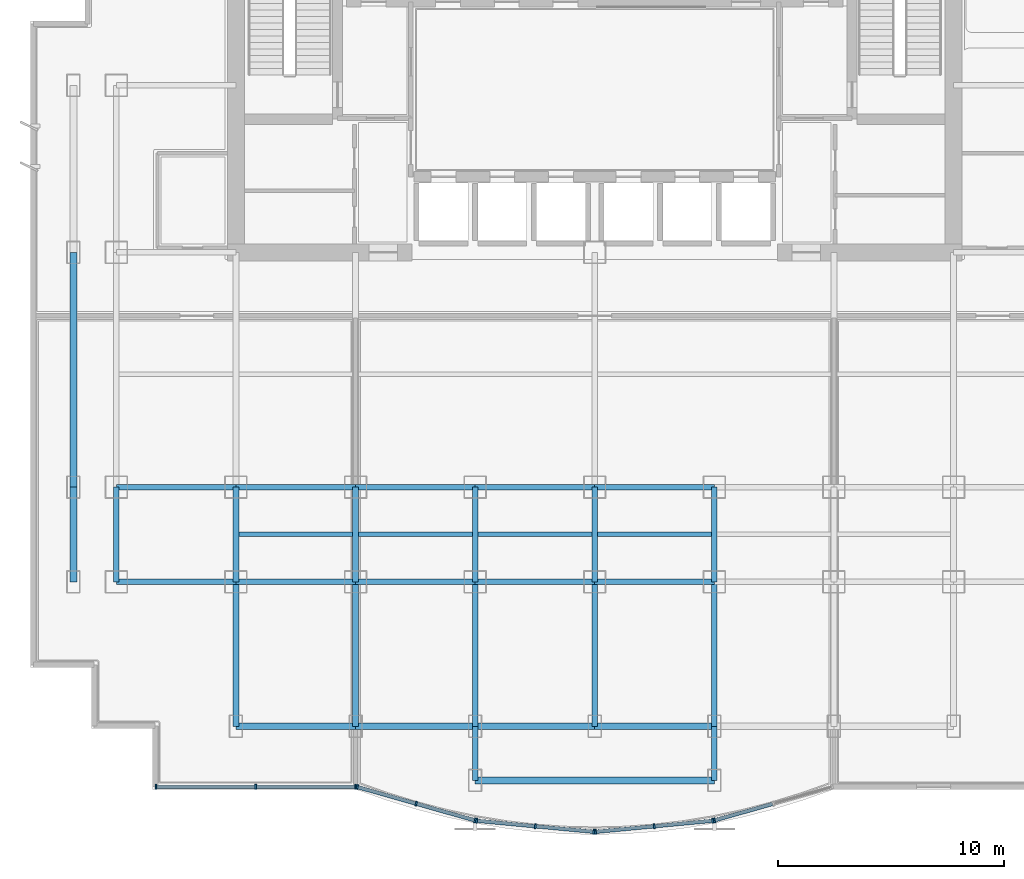
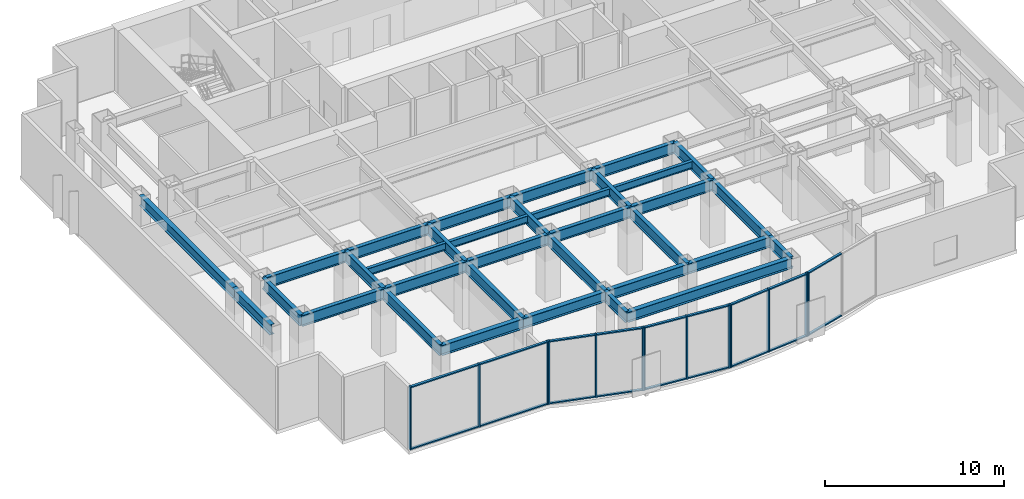
# One storey, part 2 of 9: 34 beams, 31 members, 5 elements without a shape of their own.
"""IFC4 building model written with IfcOpenShell, lengths in metres."""

import ifcopenshell
import ifcopenshell.guid

model = None  # the IFC model being written
_history = None  # IfcOwnerHistory: only IFC2X3 demands one
_inside = {}  # id of a spatial element -> (the spatial element, [elements in it])
_under = {}  # id of a project, library or spatial element -> (it, [spatial elements below it])
_declared = {}  # id of a project -> (the project, [libraries it declares])
_typed = {}  # id of a type object -> (the type object, [elements of that type])
_made_of = {}  # id of a material, layer set ... -> (it, [elements and type objects made of it])


def new_model(schema):
    """Start an empty IFC model of exactly this schema.

    Asked for "IFC4X3", IfcOpenShell would pick the latest addendum, in which some entities
    have other attributes; the version numbers below select the first issue.
    IFC2X3 requires an IfcOwnerHistory on every rooted entity: one is made here for all.
    """
    global model, _history
    if schema == "IFC4X3":
        model = ifcopenshell.file(schema_version=(4, 3, 0, 0))
    else:
        model = ifcopenshell.file(schema=schema)
    _inside.clear()
    _under.clear()
    _declared.clear()
    _typed.clear()
    _made_of.clear()
    _history = None
    if model.schema == "IFC2X3":
        org = make("IfcOrganization", Name="unknown")
        user = make(
            "IfcPersonAndOrganization",
            ThePerson=make("IfcPerson", FamilyName="unknown"),
            TheOrganization=org,
        )
        app = make(
            "IfcApplication",
            ApplicationDeveloper=org,
            Version="unknown",
            ApplicationFullName="unknown",
            ApplicationIdentifier="unknown",
        )
        _history = make(
            "IfcOwnerHistory",
            OwningUser=user,
            OwningApplication=app,
            ChangeAction="ADDED",
            CreationDate=0,
        )
    return model


def make(cls, **values):
    """One entity of the class cls with the attributes given. An attribute that is None is left unset."""
    return model.create_entity(
        cls, **{name: value for name, value in values.items() if value is not None}
    )


def rooted(cls, **values):
    """An entity with a GlobalId (a new one), such as an element, a storey or a relation."""
    return make(cls, GlobalId=ifcopenshell.guid.new(), OwnerHistory=_history, **values)


def si_unit(unit_type, name, prefix=None):
    """IfcSIUnit, for example si_unit("LENGTHUNIT", "METRE", prefix="MILLI")."""
    return make("IfcSIUnit", UnitType=unit_type, Prefix=prefix, Name=name)


def assignment(units):
    """IfcUnitAssignment: the units of a project."""
    return None if units is None else make("IfcUnitAssignment", Units=units)


def point(xyz):
    """IfcCartesianPoint."""
    return None if xyz is None else make("IfcCartesianPoint", Coordinates=xyz)


def direction(xyz):
    """IfcDirection."""
    return None if xyz is None else make("IfcDirection", DirectionRatios=xyz)


def frame(location, z_axis=None, x_axis=None):
    """IfcAxis2Placement3D, a coordinate frame: its origin and axes. An axis left out is left unset."""
    return make(
        "IfcAxis2Placement3D",
        Location=point(location),
        Axis=direction(z_axis),
        RefDirection=direction(x_axis),
    )


def frame_2d(location, x_axis=None):
    """IfcAxis2Placement2D, a coordinate frame in the plane: its origin and x axis."""
    return make(
        "IfcAxis2Placement2D", Location=point(location), RefDirection=direction(x_axis)
    )


def origin():
    """The frame at (0, 0, 0) with its axes left unset."""
    return frame((0.0, 0.0, 0.0))


def origin_2d():
    """The frame at (0, 0) in the plane with its x axis left unset."""
    return frame_2d((0.0, 0.0))


def place(relative_to, where):
    """IfcLocalPlacement: puts the frame where relative to a parent placement (None: the world)."""
    return make(
        "IfcLocalPlacement", PlacementRelTo=relative_to, RelativePlacement=where
    )


def context(
    kind, dimensions, precision=None, world=None, true_north=None, identifier=None
):
    """IfcGeometricRepresentationContext, for example the 3D "Model" context."""
    return make(
        "IfcGeometricRepresentationContext",
        ContextIdentifier=identifier,
        ContextType=kind,
        CoordinateSpaceDimension=dimensions,
        Precision=precision,
        WorldCoordinateSystem=world,
        TrueNorth=true_north,
    )


def subcontext(parent, identifier, kind, view, scale=None):
    """IfcGeometricRepresentationSubContext, for example "Body" below "Model"."""
    return make(
        "IfcGeometricRepresentationSubContext",
        ContextIdentifier=identifier,
        ContextType=kind,
        ParentContext=parent,
        TargetScale=scale,
        TargetView=view,
    )


def project(units=None, contexts=None):
    """IfcProject with its units and contexts."""
    return rooted(
        "IfcProject",
        Name="project",
        RepresentationContexts=contexts,
        UnitsInContext=assignment(units),
    )


def spatial(cls, under=None, at=None, **own):
    """A site, building, storey or space (cls), placed at a placement, below another one or the project."""
    s = rooted(cls, ObjectPlacement=at, **own)
    if under is not None:
        _under.setdefault(under.id(), (under, []))[1].append(s)
    return s


def profile(cls, at=None, kind="AREA", **sizes):
    """A parametric profile (cls). Its sizes go by their IFC names, for example OverallWidth=200.0."""
    return make(cls, ProfileType=kind, Position=at, **sizes)


def rectangle(**sizes):
    """IfcRectangleProfileDef."""
    return profile("IfcRectangleProfileDef", **sizes)


def i_section(**sizes):
    """IfcIShapeProfileDef."""
    return profile("IfcIShapeProfileDef", **sizes)


def extrude(swept, where, along, depth):
    """IfcExtrudedAreaSolid: the profile swept, set in the frame where, extruded along a direction by depth."""
    return make(
        "IfcExtrudedAreaSolid",
        SweptArea=swept,
        Position=where,
        ExtrudedDirection=direction(along),
        Depth=depth,
    )


def shape(context_of_items, identifier, shape_type, items):
    """IfcShapeRepresentation: the items that make up one representation, for example the "Body"."""
    return make(
        "IfcShapeRepresentation",
        ContextOfItems=context_of_items,
        RepresentationIdentifier=identifier,
        RepresentationType=shape_type,
        Items=items,
    )


def source(mapping_origin, context_of_items, identifier, shape_type, items):
    """IfcRepresentationMap: a shape defined once, which mapped items show again and again."""
    return make(
        "IfcRepresentationMap",
        MappingOrigin=mapping_origin,
        MappedRepresentation=shape(context_of_items, identifier, shape_type, items),
    )


def transform(
    local_origin,
    x_axis=None,
    y_axis=None,
    z_axis=None,
    scale=None,
    scale2=None,
    scale3=None,
    uniform=True,
):
    """IfcCartesianTransformationOperator3D, or its non-uniform kind. x_axis, y_axis, z_axis: its Axis1, 2, 3."""
    if uniform:
        return make(
            "IfcCartesianTransformationOperator3D",
            Axis1=direction(x_axis),
            Axis2=direction(y_axis),
            LocalOrigin=point(local_origin),
            Scale=scale,
            Axis3=direction(z_axis),
        )
    return make(
        "IfcCartesianTransformationOperator3DnonUniform",
        Axis1=direction(x_axis),
        Axis2=direction(y_axis),
        LocalOrigin=point(local_origin),
        Scale=scale,
        Axis3=direction(z_axis),
        Scale2=scale2,
        Scale3=scale3,
    )


def mapped(mapping_source, mapping_target):
    """IfcMappedItem: shows the shape of a source again, moved by a transform."""
    return make(
        "IfcMappedItem", MappingSource=mapping_source, MappingTarget=mapping_target
    )


def material(Name=None, Category=None):
    """IfcMaterial."""
    return make("IfcMaterial", Name=Name, Category=Category)


def layer(
    of_material, thickness, ventilated=None, Name=None, Category=None, Priority=None
):
    """IfcMaterialLayer: one layer of a wall or slab, of a material (None: an air gap)."""
    return make(
        "IfcMaterialLayer",
        Material=of_material,
        LayerThickness=thickness,
        IsVentilated=ventilated,
        Name=Name,
        Category=Category,
        Priority=Priority,
    )


def layer_set(layers, Name=None):
    """IfcMaterialLayerSet."""
    return make("IfcMaterialLayerSet", MaterialLayers=layers, LayerSetName=Name)


def material_profile(
    of_material, cross_section, Name=None, Category=None, Priority=None
):
    """IfcMaterialProfile: a cross section and its material."""
    return make(
        "IfcMaterialProfile",
        Name=Name,
        Material=of_material,
        Profile=cross_section,
        Priority=Priority,
        Category=Category,
    )


def profile_set(profiles, Name=None, composite=None):
    """IfcMaterialProfileSet."""
    return make(
        "IfcMaterialProfileSet",
        Name=Name,
        MaterialProfiles=profiles,
        CompositeProfile=composite,
    )


def made_of(thing, what):
    """Note that an element or type object is made of a material, layer set ...; save() writes the relation."""
    if what is not None:
        _made_of.setdefault(what.id(), (what, []))[1].append(thing)
    return thing


def type_object(cls, material=None, **own):
    """A type object (cls), such as IfcWallType, which elements share."""
    return made_of(rooted(cls, **own), material)


def element(
    cls,
    number,
    at=None,
    inside=None,
    cuts=None,
    type_object=None,
    material=None,
    context=None,
    identifier="Body",
    shape_type=None,
    held_by="IfcProductDefinitionShape",
    body=None,
    shapes=None,
    **own,
):
    """One element of the class cls, such as IfcWall. Its Tag is "e" and its number.

    at: its placement. inside: the storey or other place that contains it. cuts: it is an
    opening in that element (IfcRelVoidsElement). A single representation is given by context,
    identifier, shape_type and body (its items); several are given by shapes. held_by: the class
    of the entity that holds the representations. save() writes the other relations.
    """
    e = rooted(cls, Tag="e%d" % number, ObjectPlacement=at, **own)
    if body is not None:
        shapes = [shape(context, identifier, shape_type, body)]
    if shapes is not None:
        e.Representation = make(held_by, Representations=shapes)
    if inside is not None:
        _inside.setdefault(inside.id(), (inside, []))[1].append(e)
    if cuts is not None:
        rooted(
            "IfcRelVoidsElement", RelatingBuildingElement=cuts, RelatedOpeningElement=e
        )
    if type_object is not None:
        _typed.setdefault(type_object.id(), (type_object, []))[1].append(e)
    return made_of(e, material)


def aggregate(whole, parts):
    """IfcRelAggregates: a whole, such as a stair, and the parts it consists of."""
    return rooted("IfcRelAggregates", RelatingObject=whole, RelatedObjects=parts)


def save(model, path):
    """Write the relations noted so far, then the file.

    IfcRelAggregates (storeys below a building ...), IfcRelContainedInSpatialStructure (elements
    in a storey), IfcRelDefinesByType, IfcRelAssociatesMaterial and IfcRelDeclares: one each for
    every whole, place, type object, material and project.
    """
    for whole, parts in _under.values():
        aggregate(whole, parts)
    for where, things in _inside.values():
        rooted(
            "IfcRelContainedInSpatialStructure",
            RelatedElements=things,
            RelatingStructure=where,
        )
    for kind, things in _typed.values():
        rooted("IfcRelDefinesByType", RelatedObjects=things, RelatingType=kind)
    for what, things in _made_of.values():
        rooted("IfcRelAssociatesMaterial", RelatedObjects=things, RelatingMaterial=what)
    for by, libraries in _declared.values():
        rooted("IfcRelDeclares", RelatingContext=by, RelatedDefinitions=libraries)
    model.write(path)


model = new_model("IFC4")

# Units and contexts
model_context = context("Model", 3, precision=1e-05, world=origin(), true_north=direction((0.0, 1.0)))
body_context = subcontext(model_context, "Body", "Model", "MODEL_VIEW")
ifc_project = project(units=[si_unit("LENGTHUNIT", "METRE"), si_unit("AREAUNIT", "SQUARE_METRE"), si_unit("VOLUMEUNIT", "CUBIC_METRE"), si_unit("PLANEANGLEUNIT", "RADIAN"), si_unit("MASSUNIT", "GRAM", prefix="KILO")], contexts=[model_context])

# Site, building, storey
site_placement = place(None, origin())
site = spatial("IfcSite", under=ifc_project, at=site_placement, CompositionType="ELEMENT")
building_placement = place(site_placement, origin())
building = spatial("IfcBuilding", under=site, at=building_placement, Name="Qianlan Lanfeng Residences", CompositionType="ELEMENT")
storey_placement = place(building_placement, frame((0.0, 0.0, 77.199951171875)))
storey = spatial("IfcBuildingStorey", under=building, at=storey_placement, Name="L20", CompositionType="ELEMENT", Elevation=77.199951171875)

# Beams
ifc_material_1 = material(Name="Steel SN490B", Category="steel")
ifc_material_profile_1 = material_profile(ifc_material_1, i_section(OverallWidth=0.25, OverallDepth=0.75, WebThickness=0.013916015625, FlangeThickness=0.02490234375, at=origin_2d()), Name="H 750x250x14x25")
ifc_profile_set_1 = profile_set([ifc_material_profile_1], Name="Steel SN490B")
beam_type_1 = type_object("IfcBeamType", Name="G-850", PredefinedType="BEAM", material=ifc_profile_set_1)
beam_1_placement = place(storey_placement, frame((5.300048828125, 10.60009765625, 3.9150390625), z_axis=(1.0, 0.0, 0.0), x_axis=(0.0, 1.0, 0.0)))
element("IfcBeam", 1, at=beam_1_placement, inside=storey, type_object=beam_type_1, Name="Structural beam G-850", PredefinedType="BEAM", context=body_context, shape_type="SweptSolid", body=[
    extrude(i_section(OverallWidth=0.25, OverallDepth=0.75, WebThickness=0.013916015625, FlangeThickness=0.02490234375, at=origin_2d()), origin(), (0.0, 0.0, 1.0), 5.300048828125),
])
beam_2_placement = place(storey_placement, frame((10.60009765625, 10.60009765625, 3.9150390625), z_axis=(1.0, 0.0, 0.0), x_axis=(0.0, 1.0, 0.0)))
element("IfcBeam", 2, at=beam_2_placement, inside=storey, type_object=beam_type_1, Name="Structural beam G-850", PredefinedType="BEAM", context=body_context, shape_type="SweptSolid", body=[
    extrude(i_section(OverallWidth=0.25, OverallDepth=0.75, WebThickness=0.013916015625, FlangeThickness=0.02490234375, at=origin_2d()), origin(), (0.0, 0.0, 1.0), 5.2998046875),
])
for number, where, z_axis, x_axis, name in (
    (3, (15.89990234375, 10.60009765625, 3.9150390625), (1.0, 0.0, 0.0), (0.0, 1.0, 0.0), "Structural beam G-850"),
    (4, (21.199951171875, 10.60009765625, 3.9150390625), (1.0, 0.0, 0.0), (0.0, 1.0, 0.0), "Structural beam G-850"),
    (5, (26.5, 10.60009765625, 3.9150390625), (1.0, 0.0, 0.0), (0.0, 1.0, 0.0), "Structural beam G-850"),
    (6, (5.300048828125, 14.800048828125, 3.9150390625), (1.0, 0.0, 0.0), (0.0, 1.0, 0.0), "Structural beam G-850"),
):
    element("IfcBeam", number, at=place(storey_placement, frame(where, z_axis=z_axis, x_axis=x_axis)), inside=storey, type_object=beam_type_1, Name=name, PredefinedType="BEAM", context=body_context, shape_type="SweptSolid", body=[
        extrude(i_section(OverallWidth=0.25, OverallDepth=0.75, WebThickness=0.013916015625, FlangeThickness=0.02490234375, at=origin_2d()), origin(), (0.0, 0.0, 1.0), 5.300048828125),
    ])
beam_3_placement = place(storey_placement, frame((10.60009765625, 14.800048828125, 3.9150390625), z_axis=(1.0, 0.0, 0.0), x_axis=(0.0, 1.0, 0.0)))
element("IfcBeam", 7, at=beam_3_placement, inside=storey, type_object=beam_type_1, Name="Structural beam G-850", PredefinedType="BEAM", context=body_context, shape_type="SweptSolid", body=[
    extrude(i_section(OverallWidth=0.25, OverallDepth=0.75, WebThickness=0.013916015625, FlangeThickness=0.02490234375, at=origin_2d()), origin(), (0.0, 0.0, 1.0), 5.2998046875),
])
for number, where, z_axis, x_axis, name in (
    (8, (15.89990234375, 14.800048828125, 3.9150390625), (1.0, 0.0, 0.0), (0.0, 1.0, 0.0), "Structural beam G-850"),
    (9, (21.199951171875, 14.800048828125, 3.9150390625), (1.0, 0.0, 0.0), (0.0, 1.0, 0.0), "Structural beam G-850"),
    (10, (26.5, 14.800048828125, 3.9150390625), (1.0, 0.0, 0.0), (0.0, 1.0, 0.0), "Structural beam G-850"),
):
    element("IfcBeam", number, at=place(storey_placement, frame(where, z_axis=z_axis, x_axis=x_axis)), inside=storey, type_object=beam_type_1, Name=name, PredefinedType="BEAM", context=body_context, shape_type="SweptSolid", body=[
        extrude(i_section(OverallWidth=0.25, OverallDepth=0.75, WebThickness=0.013916015625, FlangeThickness=0.02490234375, at=origin_2d()), origin(), (0.0, 0.0, 1.0), 5.300048828125),
    ])
beam_4_placement = place(storey_placement, frame((5.300048828125, 10.60009765625, 3.9150390625), z_axis=(0.0, 1.0, 0.0), x_axis=(-1.0, 0.0, 0.0)))
element("IfcBeam", 11, at=beam_4_placement, inside=storey, type_object=beam_type_1, Name="Structural beam G-850", PredefinedType="BEAM", context=body_context, shape_type="SweptSolid", body=[
    extrude(i_section(OverallWidth=0.25, OverallDepth=0.75, WebThickness=0.013916015625, FlangeThickness=0.02490234375, at=origin_2d()), origin(), (0.0, 0.0, 1.0), 4.199951171875),
])
beam_5_placement = place(storey_placement, frame((10.60009765625, 4.199951171875, 3.9150390625), z_axis=(0.0, 1.0, 0.0), x_axis=(-1.0, 0.0, 0.0)))
element("IfcBeam", 12, at=beam_5_placement, inside=storey, type_object=beam_type_1, Name="Structural beam G-850", PredefinedType="BEAM", context=body_context, shape_type="SweptSolid", body=[
    extrude(i_section(OverallWidth=0.25, OverallDepth=0.75, WebThickness=0.013916015625, FlangeThickness=0.02490234375, at=origin_2d()), origin(), (0.0, 0.0, 1.0), 6.400146484375),
])
beam_6_placement = place(storey_placement, frame((10.60009765625, 10.60009765625, 3.9150390625), z_axis=(0.0, 1.0, 0.0), x_axis=(-1.0, 0.0, 0.0)))
element("IfcBeam", 13, at=beam_6_placement, inside=storey, type_object=beam_type_1, Name="Structural beam G-850", PredefinedType="BEAM", context=body_context, shape_type="SweptSolid", body=[
    extrude(i_section(OverallWidth=0.25, OverallDepth=0.75, WebThickness=0.013916015625, FlangeThickness=0.02490234375, at=origin_2d()), origin(), (0.0, 0.0, 1.0), 4.199951171875),
])
beam_7_placement = place(storey_placement, frame((15.89990234375, 4.199951171875, 3.9150390625), z_axis=(0.0, 1.0, 0.0), x_axis=(-1.0, 0.0, 0.0)))
element("IfcBeam", 14, at=beam_7_placement, inside=storey, type_object=beam_type_1, Name="Structural beam G-850", PredefinedType="BEAM", context=body_context, shape_type="SweptSolid", body=[
    extrude(i_section(OverallWidth=0.25, OverallDepth=0.75, WebThickness=0.013916015625, FlangeThickness=0.02490234375, at=origin_2d()), origin(), (0.0, 0.0, 1.0), 6.400146484375),
])
beam_8_placement = place(storey_placement, frame((15.89990234375, 10.60009765625, 3.9150390625), z_axis=(0.0, 1.0, 0.0), x_axis=(-1.0, 0.0, 0.0)))
element("IfcBeam", 15, at=beam_8_placement, inside=storey, type_object=beam_type_1, Name="Structural beam G-850", PredefinedType="BEAM", context=body_context, shape_type="SweptSolid", body=[
    extrude(i_section(OverallWidth=0.25, OverallDepth=0.75, WebThickness=0.013916015625, FlangeThickness=0.02490234375, at=origin_2d()), origin(), (0.0, 0.0, 1.0), 4.199951171875),
])
beam_9_placement = place(storey_placement, frame((21.199951171875, 1.800048828125, 3.9150390625), z_axis=(0.0, 1.0, 0.0), x_axis=(-1.0, 0.0, 0.0)))
element("IfcBeam", 16, at=beam_9_placement, inside=storey, type_object=beam_type_1, Name="Structural beam G-850", PredefinedType="BEAM", context=body_context, shape_type="SweptSolid", body=[
    extrude(i_section(OverallWidth=0.25, OverallDepth=0.75, WebThickness=0.013916015625, FlangeThickness=0.02490234375, at=origin_2d()), origin(), (0.0, 0.0, 1.0), 2.39990234375),
])
beam_10_placement = place(storey_placement, frame((21.199951171875, 4.199951171875, 3.9150390625), z_axis=(0.0, 1.0, 0.0), x_axis=(-1.0, 0.0, 0.0)))
element("IfcBeam", 17, at=beam_10_placement, inside=storey, type_object=beam_type_1, Name="Structural beam G-850", PredefinedType="BEAM", context=body_context, shape_type="SweptSolid", body=[
    extrude(i_section(OverallWidth=0.25, OverallDepth=0.75, WebThickness=0.013916015625, FlangeThickness=0.02490234375, at=origin_2d()), origin(), (0.0, 0.0, 1.0), 6.400146484375),
])
beam_11_placement = place(storey_placement, frame((21.199951171875, 10.60009765625, 3.9150390625), z_axis=(0.0, 1.0, 0.0), x_axis=(-1.0, 0.0, 0.0)))
element("IfcBeam", 18, at=beam_11_placement, inside=storey, type_object=beam_type_1, Name="Structural beam G-850", PredefinedType="BEAM", context=body_context, shape_type="SweptSolid", body=[
    extrude(i_section(OverallWidth=0.25, OverallDepth=0.75, WebThickness=0.013916015625, FlangeThickness=0.02490234375, at=origin_2d()), origin(), (0.0, 0.0, 1.0), 4.199951171875),
])
beam_12_placement = place(storey_placement, frame((26.5, 4.199951171875, 3.9150390625), z_axis=(0.0, 1.0, 0.0), x_axis=(-1.0, 0.0, 0.0)))
element("IfcBeam", 19, at=beam_12_placement, inside=storey, type_object=beam_type_1, Name="Structural beam G-850", PredefinedType="BEAM", context=body_context, shape_type="SweptSolid", body=[
    extrude(i_section(OverallWidth=0.25, OverallDepth=0.75, WebThickness=0.013916015625, FlangeThickness=0.02490234375, at=origin_2d()), origin(), (0.0, 0.0, 1.0), 6.400146484375),
])
beam_13_placement = place(storey_placement, frame((26.5, 10.60009765625, 3.9150390625), z_axis=(0.0, 1.0, 0.0), x_axis=(-1.0, 0.0, 0.0)))
element("IfcBeam", 20, at=beam_13_placement, inside=storey, type_object=beam_type_1, Name="Structural beam G-850", PredefinedType="BEAM", context=body_context, shape_type="SweptSolid", body=[
    extrude(i_section(OverallWidth=0.25, OverallDepth=0.75, WebThickness=0.013916015625, FlangeThickness=0.02490234375, at=origin_2d()), origin(), (0.0, 0.0, 1.0), 4.199951171875),
])
beam_14_placement = place(storey_placement, frame((31.800048828125, 1.800048828125, 3.9150390625), z_axis=(0.0, 1.0, 0.0), x_axis=(-1.0, 0.0, 0.0)))
element("IfcBeam", 21, at=beam_14_placement, inside=storey, type_object=beam_type_1, Name="Structural beam G-850", PredefinedType="BEAM", context=body_context, shape_type="SweptSolid", body=[
    extrude(i_section(OverallWidth=0.25, OverallDepth=0.75, WebThickness=0.013916015625, FlangeThickness=0.02490234375, at=origin_2d()), origin(), (0.0, 0.0, 1.0), 2.39990234375),
])
beam_15_placement = place(storey_placement, frame((31.800048828125, 4.199951171875, 3.9150390625), z_axis=(0.0, 1.0, 0.0), x_axis=(-1.0, 0.0, 0.0)))
element("IfcBeam", 22, at=beam_15_placement, inside=storey, type_object=beam_type_1, Name="Structural beam G-850", PredefinedType="BEAM", context=body_context, shape_type="SweptSolid", body=[
    extrude(i_section(OverallWidth=0.25, OverallDepth=0.75, WebThickness=0.013916015625, FlangeThickness=0.02490234375, at=origin_2d()), origin(), (0.0, 0.0, 1.0), 6.400146484375),
])
beam_16_placement = place(storey_placement, frame((31.800048828125, 10.60009765625, 3.9150390625), z_axis=(0.0, 1.0, 0.0), x_axis=(-1.0, 0.0, 0.0)))
element("IfcBeam", 23, at=beam_16_placement, inside=storey, type_object=beam_type_1, Name="Structural beam G-850", PredefinedType="BEAM", context=body_context, shape_type="SweptSolid", body=[
    extrude(i_section(OverallWidth=0.25, OverallDepth=0.75, WebThickness=0.013916015625, FlangeThickness=0.02490234375, at=origin_2d()), origin(), (0.0, 0.0, 1.0), 4.199951171875),
])
ifc_material_profile_2 = material_profile(ifc_material_1, i_section(OverallWidth=0.199951171875, OverallDepth=0.5, WebThickness=0.010009765625, FlangeThickness=0.01611328125, at=origin_2d()), Name="H 500x200x10x16")
ifc_profile_set_2 = profile_set([ifc_material_profile_2], Name="Steel SN490B")
beam_type_2 = type_object("IfcBeamType", Name="J-500", PredefinedType="JOIST", material=ifc_profile_set_2)
beam_17_placement = place(storey_placement, frame((10.72509765625, 12.699951171875, 4.0400390625), z_axis=(1.0, 0.0, 0.0), x_axis=(0.0, 1.0, 0.0)))
element("IfcBeam", 24, at=beam_17_placement, inside=storey, type_object=beam_type_2, Name="Structural beam J-500", PredefinedType="JOIST", context=body_context, shape_type="SweptSolid", body=[
    extrude(i_section(OverallWidth=0.199951171875, OverallDepth=0.5, WebThickness=0.010009765625, FlangeThickness=0.01611328125, at=origin_2d()), origin(), (0.0, 0.0, 1.0), 5.0498046875),
])
for number, where, z_axis, x_axis, name in (
    (25, (16.02490234375, 12.699951171875, 4.0400390625), (1.0, 0.0, 0.0), (0.0, 1.0, 0.0), "Structural beam J-500"),
    (26, (21.324951171875, 12.699951171875, 4.0400390625), (1.0, 0.0, 0.0), (0.0, 1.0, 0.0), "Structural beam J-500"),
    (27, (26.625, 12.699951171875, 4.0400390625), (1.0, 0.0, 0.0), (0.0, 1.0, 0.0), "Structural beam J-500"),
):
    element("IfcBeam", number, at=place(storey_placement, frame(where, z_axis=z_axis, x_axis=x_axis)), inside=storey, type_object=beam_type_2, Name=name, PredefinedType="JOIST", context=body_context, shape_type="SweptSolid", body=[
        extrude(i_section(OverallWidth=0.199951171875, OverallDepth=0.5, WebThickness=0.010009765625, FlangeThickness=0.01611328125, at=origin_2d()), origin(), (0.0, 0.0, 1.0), 5.050048828125),
    ])
ifc_material_profile_3 = material_profile(ifc_material_1, i_section(OverallWidth=0.300048828125, OverallDepth=0.699951171875, WebThickness=0.012939453125, FlangeThickness=0.02392578125, at=origin_2d()), Name="H 700x300x13x24")
ifc_profile_set_3 = profile_set([ifc_material_profile_3], Name="Steel SN490B")
beam_type_3 = type_object("IfcBeamType", Name="SG-750", PredefinedType="SPANDREL", material=ifc_profile_set_3)
beam_18_placement = place(storey_placement, frame((21.199951171875, 1.800048828125, 3.93994140625), z_axis=(1.0, 0.0, 0.0), x_axis=(0.0, 1.0, 0.0)))
element("IfcBeam", 28, at=beam_18_placement, inside=storey, type_object=beam_type_3, Name="Structural beam SG-750", PredefinedType="SPANDREL", context=body_context, shape_type="SweptSolid", body=[
    extrude(i_section(OverallWidth=0.300048828125, OverallDepth=0.699951171875, WebThickness=0.012939453125, FlangeThickness=0.02392578125, at=origin_2d()), origin(), (0.0, 0.0, 1.0), 10.60009765625),
])
beam_19_placement = place(storey_placement, frame((10.60009765625, 4.199951171875, 3.93994140625), z_axis=(1.0, 0.0, 0.0), x_axis=(0.0, 1.0, 0.0)))
element("IfcBeam", 29, at=beam_19_placement, inside=storey, type_object=beam_type_3, Name="Structural beam SG-750", PredefinedType="SPANDREL", context=body_context, shape_type="SweptSolid", body=[
    extrude(i_section(OverallWidth=0.300048828125, OverallDepth=0.699951171875, WebThickness=0.012939453125, FlangeThickness=0.02392578125, at=origin_2d()), origin(), (0.0, 0.0, 1.0), 5.2998046875),
])
for number, where, z_axis, x_axis, name in (
    (30, (15.89990234375, 4.199951171875, 3.93994140625), (1.0, 0.0, 0.0), (0.0, 1.0, 0.0), "Structural beam SG-750"),
    (31, (21.199951171875, 4.199951171875, 3.93994140625), (1.0, 0.0, 0.0), (0.0, 1.0, 0.0), "Structural beam SG-750"),
    (32, (26.5, 4.199951171875, 3.93994140625), (1.0, 0.0, 0.0), (0.0, 1.0, 0.0), "Structural beam SG-750"),
):
    element("IfcBeam", number, at=place(storey_placement, frame(where, z_axis=z_axis, x_axis=x_axis)), inside=storey, type_object=beam_type_3, Name=name, PredefinedType="SPANDREL", context=body_context, shape_type="SweptSolid", body=[
        extrude(i_section(OverallWidth=0.300048828125, OverallDepth=0.699951171875, WebThickness=0.012939453125, FlangeThickness=0.02392578125, at=origin_2d()), origin(), (0.0, 0.0, 1.0), 5.300048828125),
    ])
beam_20_placement = place(storey_placement, frame((3.39990234375, 10.60009765625, 3.93994140625), z_axis=(0.0, 1.0, 0.0), x_axis=(-1.0, 0.0, 0.0)))
element("IfcBeam", 33, at=beam_20_placement, inside=storey, type_object=beam_type_3, Name="Structural beam SG-750", PredefinedType="SPANDREL", context=body_context, shape_type="SweptSolid", body=[
    extrude(i_section(OverallWidth=0.300048828125, OverallDepth=0.699951171875, WebThickness=0.012939453125, FlangeThickness=0.02392578125, at=origin_2d()), origin(), (0.0, 0.0, 1.0), 4.199951171875),
])
beam_21_placement = place(storey_placement, frame((3.39990234375, 14.800048828125, 3.93994140625), z_axis=(0.0, 1.0, 0.0), x_axis=(-1.0, 0.0, 0.0)))
element("IfcBeam", 34, at=beam_21_placement, inside=storey, type_object=beam_type_3, Name="Structural beam SG-750", PredefinedType="SPANDREL", context=body_context, shape_type="SweptSolid", body=[
    extrude(i_section(OverallWidth=0.300048828125, OverallDepth=0.699951171875, WebThickness=0.012939453125, FlangeThickness=0.02392578125, at=origin_2d()), origin(), (0.0, 0.0, 1.0), 10.39990234375),
])

# Curtain wall, members
ifc_material_2 = material(Name="Anodised Bronze Aluminium 6063-T6", Category="aluminium")
ifc_layer = layer(ifc_material_2, 0.219970703125)
ifc_layer_set = layer_set([ifc_layer], Name="Anodised Bronze Aluminium 6063-T6")
curtain_wall_type = type_object("IfcCurtainWallType", Name="CW-03", PredefinedType="NOTDEFINED", material=ifc_layer_set)
curtain_wall_1_placement = place(storey_placement, origin())
curtain_wall_1 = element("IfcCurtainWall", 35, at=curtain_wall_1_placement, inside=storey, type_object=curtain_wall_type, Name="L20 Unitised Curtain Wall CWR-L20-01 (CW-03)", PredefinedType="NOTDEFINED")
ifc_material_profile_4 = material_profile(ifc_material_2, rectangle(XDim=0.080078125, YDim=0.2099609375, at=origin_2d()), Name="ALU MULLION 80x210")
ifc_profile_set_4 = profile_set([ifc_material_profile_4], Name="Anodised Bronze Aluminium 6063-T6")
member_type_1 = type_object("IfcMemberType", Name="CWM-220", PredefinedType="MULLION", material=ifc_profile_set_4)
shared_shape_1 = source(origin(), body_context, "Body", "SweptSolid", [
    extrude(rectangle(XDim=0.080078125, YDim=0.2099609375, at=origin_2d()), origin(), (0.0, 0.0, 1.0), 4.2900390625),
])
member_1_placement = place(storey_placement, frame((7.06005859375, 1.52001953125, 0.0), z_axis=(0.0, 0.0, 1.0), x_axis=(1.0, 0.0, 0.0)))
member_1 = element("IfcMember", 36, at=member_1_placement, type_object=member_type_1, Name="CWR-L20-01 Mullion 1", PredefinedType="MULLION", context=body_context, shape_type="MappedRepresentation", body=[
    mapped(shared_shape_1, transform((0.0, 0.0, 0.0), scale=1.0)),
])
member_2_placement = place(storey_placement, frame((11.48046875, 1.52001953125, 0.0), z_axis=(0.0, 0.0, 1.0), x_axis=(1.0, 0.0, 0.0)))
member_2 = element("IfcMember", 37, at=member_2_placement, type_object=member_type_1, Name="CWR-L20-01 Mullion 2", PredefinedType="MULLION", context=body_context, shape_type="MappedRepresentation", body=[
    mapped(shared_shape_1, transform((0.0, 0.0, 0.0), scale=1.0)),
])
member_3_placement = place(storey_placement, frame((15.90087890625, 1.52001953125, 0.0), z_axis=(0.0, 0.0, 1.0), x_axis=(1.0, 0.0, 0.0)))
member_3 = element("IfcMember", 38, at=member_3_placement, type_object=member_type_1, Name="CWR-L20-01 Mullion 3", PredefinedType="MULLION", context=body_context, shape_type="MappedRepresentation", body=[
    mapped(shared_shape_1, transform((0.0, 0.0, 0.0), scale=1.0)),
])

curtain_wall_2_placement = place(storey_placement, origin())
curtain_wall_2 = element("IfcCurtainWall", 39, at=curtain_wall_2_placement, inside=storey, type_object=curtain_wall_type, Name="L20 Unitised Curtain Wall CWR-L20-02 (CW-03)", PredefinedType="NOTDEFINED")
member_4_placement = place(storey_placement, frame((15.9794921875, 1.509033203125, 0.0), z_axis=(0.0, 0.0, 1.0), x_axis=(0.961989074302, -0.273087936247, 0.0)))
member_4 = element("IfcMember", 40, at=member_4_placement, type_object=member_type_1, Name="CWR-L20-02 Mullion 1", PredefinedType="MULLION", context=body_context, shape_type="MappedRepresentation", body=[
    mapped(shared_shape_1, transform((0.0, 0.0, 0.0), scale=1.0)),
])
member_5_placement = place(storey_placement, frame((18.58642578125, 0.76904296875, 0.0), z_axis=(0.0, 0.0, 1.0), x_axis=(0.961989074302, -0.273087936247, 0.0)))
member_5 = element("IfcMember", 41, at=member_5_placement, type_object=member_type_1, Name="CWR-L20-02 Mullion 2", PredefinedType="MULLION", context=body_context, shape_type="MappedRepresentation", body=[
    mapped(shared_shape_1, transform((0.0, 0.0, 0.0), scale=1.0)),
])
member_6_placement = place(storey_placement, frame((21.193603515625, 0.02880859375, 0.0), z_axis=(0.0, 0.0, 1.0), x_axis=(0.961989074302, -0.273087936247, 0.0)))
member_6 = element("IfcMember", 42, at=member_6_placement, type_object=member_type_1, Name="CWR-L20-02 Mullion 3", PredefinedType="MULLION", context=body_context, shape_type="MappedRepresentation", body=[
    mapped(shared_shape_1, transform((0.0, 0.0, 0.0), scale=1.0)),
])

curtain_wall_3_placement = place(storey_placement, origin())
curtain_wall_3 = element("IfcCurtainWall", 43, at=curtain_wall_3_placement, inside=storey, type_object=curtain_wall_type, Name="L20 Unitised Curtain Wall CWR-L20-03 (CW-03)", PredefinedType="NOTDEFINED")
member_7_placement = place(storey_placement, frame((21.271728515625, 0.01416015625, 0.0), z_axis=(0.0, 0.0, 1.0), x_axis=(0.995561471839, -0.094113526067, 0.0)))
member_7 = element("IfcMember", 44, at=member_7_placement, type_object=member_type_1, Name="CWR-L20-03 Mullion 1", PredefinedType="MULLION", context=body_context, shape_type="MappedRepresentation", body=[
    mapped(shared_shape_1, transform((0.0, 0.0, 0.0), scale=1.0)),
])
member_8_placement = place(storey_placement, frame((23.865966796875, -0.23095703125, 0.0), z_axis=(0.0, 0.0, 1.0), x_axis=(0.995561471839, -0.094113526067, 0.0)))
member_8 = element("IfcMember", 45, at=member_8_placement, type_object=member_type_1, Name="CWR-L20-03 Mullion 2", PredefinedType="MULLION", context=body_context, shape_type="MappedRepresentation", body=[
    mapped(shared_shape_1, transform((0.0, 0.0, 0.0), scale=1.0)),
])
member_9_placement = place(storey_placement, frame((26.460205078125, -0.476318359375, 0.0), z_axis=(0.0, 0.0, 1.0), x_axis=(0.995561471839, -0.094113526067, 0.0)))
member_9 = element("IfcMember", 46, at=member_9_placement, type_object=member_type_1, Name="CWR-L20-03 Mullion 3", PredefinedType="MULLION", context=body_context, shape_type="MappedRepresentation", body=[
    mapped(shared_shape_1, transform((0.0, 0.0, 0.0), scale=1.0)),
])

curtain_wall_4_placement = place(storey_placement, origin())
curtain_wall_4 = element("IfcCurtainWall", 47, at=curtain_wall_4_placement, inside=storey, type_object=curtain_wall_type, Name="L20 Unitised Curtain Wall CWR-L20-04 (CW-03)", PredefinedType="NOTDEFINED")
member_10_placement = place(storey_placement, frame((26.539794921875, -0.476318359375, 0.0), z_axis=(0.0, 0.0, 1.0), x_axis=(0.995561471839, 0.094113526067, 0.0)))
member_10 = element("IfcMember", 48, at=member_10_placement, type_object=member_type_1, Name="CWR-L20-04 Mullion 1", PredefinedType="MULLION", context=body_context, shape_type="MappedRepresentation", body=[
    mapped(shared_shape_1, transform((0.0, 0.0, 0.0), scale=1.0)),
])
member_11_placement = place(storey_placement, frame((29.134033203125, -0.23095703125, 0.0), z_axis=(0.0, 0.0, 1.0), x_axis=(0.995561471839, 0.094113526067, 0.0)))
member_11 = element("IfcMember", 49, at=member_11_placement, type_object=member_type_1, Name="CWR-L20-04 Mullion 2", PredefinedType="MULLION", context=body_context, shape_type="MappedRepresentation", body=[
    mapped(shared_shape_1, transform((0.0, 0.0, 0.0), scale=1.0)),
])
member_12_placement = place(storey_placement, frame((31.728271484375, 0.01416015625, 0.0), z_axis=(0.0, 0.0, 1.0), x_axis=(0.995561471839, 0.094113526067, 0.0)))
member_12 = element("IfcMember", 50, at=member_12_placement, type_object=member_type_1, Name="CWR-L20-04 Mullion 3", PredefinedType="MULLION", context=body_context, shape_type="MappedRepresentation", body=[
    mapped(shared_shape_1, transform((0.0, 0.0, 0.0), scale=1.0)),
])

# Curtain wall, member
curtain_wall_5_placement = place(storey_placement, origin())
curtain_wall_5 = element("IfcCurtainWall", 51, at=curtain_wall_5_placement, inside=storey, type_object=curtain_wall_type, Name="L20 Unitised Curtain Wall CWR-L20-05 (CW-03)", PredefinedType="NOTDEFINED")
member_13_placement = place(storey_placement, frame((31.806396484375, 0.02880859375, 0.0), z_axis=(0.0, 0.0, 1.0), x_axis=(0.961989074302, 0.273087936247, 0.0)))
member_13 = element("IfcMember", 52, at=member_13_placement, type_object=member_type_1, Name="CWR-L20-05 Mullion 1", PredefinedType="MULLION", context=body_context, shape_type="MappedRepresentation", body=[
    mapped(shared_shape_1, transform((0.0, 0.0, 0.0), scale=1.0)),
])

# Member
ifc_material_profile_5 = material_profile(ifc_material_2, rectangle(XDim=0.080078125, YDim=0.159912109375, at=origin_2d()), Name="ALU TRANSOM 80x160")
ifc_profile_set_5 = profile_set([ifc_material_profile_5], Name="Anodised Bronze Aluminium 6063-T6")
member_type_2 = type_object("IfcMemberType", Name="CWT-180", PredefinedType="USERDEFINED", material=ifc_profile_set_5)
shared_shape_2 = source(origin(), body_context, "Body", "SweptSolid", [
    extrude(rectangle(XDim=0.080078125, YDim=0.159912109375, at=origin_2d()), origin(), (0.0, 0.0, 1.0), 4.34033203125),
])
member_14_placement = place(storey_placement, frame((7.10009765625, 1.52001953125, 0.0400390625), z_axis=(1.0, 0.0, 0.0), x_axis=(0.0, 0.0, 1.0)))
member_14 = element("IfcMember", 53, at=member_14_placement, type_object=member_type_2, Name="CWR-L20-01 Transom 1-BOT", ObjectType="TRANSOM", PredefinedType="USERDEFINED", context=body_context, shape_type="MappedRepresentation", body=[
    mapped(shared_shape_2, transform((0.0, 0.0, 0.0), scale=1.0)),
])

member_15_placement = place(storey_placement, frame((7.10009765625, 1.52001953125, 4.25), z_axis=(1.0, 0.0, 0.0), x_axis=(0.0, 0.0, 1.0)))
member_15 = element("IfcMember", 54, at=member_15_placement, type_object=member_type_2, Name="CWR-L20-01 Transom 1-TOP", ObjectType="TRANSOM", PredefinedType="USERDEFINED", context=body_context, shape_type="MappedRepresentation", body=[
    mapped(shared_shape_2, transform((0.0, 0.0, 0.0), scale=1.0)),
])

shared_shape_3 = source(origin(), body_context, "Body", "SweptSolid", [
    extrude(rectangle(XDim=0.080078125, YDim=0.159912109375, at=origin_2d()), origin(), (0.0, 0.0, 1.0), 4.340576171875),
])
member_16_placement = place(storey_placement, frame((11.5205078125, 1.52001953125, 0.0400390625), z_axis=(1.0, 0.0, 0.0), x_axis=(0.0, 0.0, 1.0)))
member_16 = element("IfcMember", 55, at=member_16_placement, type_object=member_type_2, Name="CWR-L20-01 Transom 2-BOT", ObjectType="TRANSOM", PredefinedType="USERDEFINED", context=body_context, shape_type="MappedRepresentation", body=[
    mapped(shared_shape_3, transform((0.0, 0.0, 0.0), scale=1.0)),
])

member_17_placement = place(storey_placement, frame((11.5205078125, 1.52001953125, 4.25), z_axis=(1.0, 0.0, 0.0), x_axis=(0.0, 0.0, 1.0)))
member_17 = element("IfcMember", 56, at=member_17_placement, type_object=member_type_2, Name="CWR-L20-01 Transom 2-TOP", ObjectType="TRANSOM", PredefinedType="USERDEFINED", context=body_context, shape_type="MappedRepresentation", body=[
    mapped(shared_shape_3, transform((0.0, 0.0, 0.0), scale=1.0)),
])

aggregate(curtain_wall_1, [member_1, member_2, member_3, member_14, member_15, member_16, member_17])

shared_shape_4 = source(origin(), body_context, "Body", "SweptSolid", [
    extrude(rectangle(XDim=0.080078125, YDim=0.159912109375, at=origin_2d()), origin(), (0.0, 0.0, 1.0), 2.630126953125),
])
member_18_placement = place(storey_placement, frame((16.01806640625, 1.498291015625, 0.0400390625), z_axis=(0.961960587005, -0.273188266675, 0.0), x_axis=(0.0, 0.0, 1.0)))
member_18 = element("IfcMember", 57, at=member_18_placement, type_object=member_type_2, Name="CWR-L20-02 Transom 1-BOT", ObjectType="TRANSOM", PredefinedType="USERDEFINED", context=body_context, shape_type="MappedRepresentation", body=[
    mapped(shared_shape_4, transform((0.0, 0.0, 0.0), scale=1.0)),
])

member_19_placement = place(storey_placement, frame((16.01806640625, 1.498291015625, 4.25), z_axis=(0.961960587005, -0.273188266675, 0.0), x_axis=(0.0, 0.0, 1.0)))
member_19 = element("IfcMember", 58, at=member_19_placement, type_object=member_type_2, Name="CWR-L20-02 Transom 1-TOP", ObjectType="TRANSOM", PredefinedType="USERDEFINED", context=body_context, shape_type="MappedRepresentation", body=[
    mapped(shared_shape_4, transform((0.0, 0.0, 0.0), scale=1.0)),
])

member_20_placement = place(storey_placement, frame((18.625, 0.758056640625, 0.0400390625), z_axis=(0.961984978242, -0.273102364758, 0.0), x_axis=(0.0, 0.0, 1.0)))
member_20 = element("IfcMember", 59, at=member_20_placement, type_object=member_type_2, Name="CWR-L20-02 Transom 2-BOT", ObjectType="TRANSOM", PredefinedType="USERDEFINED", context=body_context, shape_type="MappedRepresentation", body=[
    mapped(shared_shape_4, transform((0.0, 0.0, 0.0), scale=1.0)),
])

member_21_placement = place(storey_placement, frame((18.625, 0.758056640625, 4.25), z_axis=(0.961984978242, -0.273102364758, 0.0), x_axis=(0.0, 0.0, 1.0)))
member_21 = element("IfcMember", 60, at=member_21_placement, type_object=member_type_2, Name="CWR-L20-02 Transom 2-TOP", ObjectType="TRANSOM", PredefinedType="USERDEFINED", context=body_context, shape_type="MappedRepresentation", body=[
    mapped(shared_shape_4, transform((0.0, 0.0, 0.0), scale=1.0)),
])

aggregate(curtain_wall_2, [member_4, member_5, member_6, member_18, member_19, member_20, member_21])

member_22_placement = place(storey_placement, frame((31.844970703125, 0.039794921875, 0.0400390625), z_axis=(0.961984978242, 0.273102364758, 0.0), x_axis=(0.0, 0.0, 1.0)))
member_22 = element("IfcMember", 61, at=member_22_placement, type_object=member_type_2, Name="CWR-L20-05 Transom 1-BOT", ObjectType="TRANSOM", PredefinedType="USERDEFINED", context=body_context, shape_type="MappedRepresentation", body=[
    mapped(shared_shape_4, transform((0.0, 0.0, 0.0), scale=1.0)),
])

member_23_placement = place(storey_placement, frame((31.844970703125, 0.039794921875, 4.25), z_axis=(0.961984978242, 0.273102364758, 0.0), x_axis=(0.0, 0.0, 1.0)))
member_23 = element("IfcMember", 62, at=member_23_placement, type_object=member_type_2, Name="CWR-L20-05 Transom 1-TOP", ObjectType="TRANSOM", PredefinedType="USERDEFINED", context=body_context, shape_type="MappedRepresentation", body=[
    mapped(shared_shape_4, transform((0.0, 0.0, 0.0), scale=1.0)),
])

aggregate(curtain_wall_5, [member_13, member_22, member_23])

shared_shape_5 = source(origin(), body_context, "Body", "SweptSolid", [
    extrude(rectangle(XDim=0.080078125, YDim=0.159912109375, at=origin_2d()), origin(), (0.0, 0.0, 1.0), 2.52587890625),
])
member_24_placement = place(storey_placement, frame((21.3115234375, 0.010498046875, 0.0400390625), z_axis=(0.995558673677, -0.094143121181, 0.0), x_axis=(0.0, 0.0, 1.0)))
member_24 = element("IfcMember", 63, at=member_24_placement, type_object=member_type_2, Name="CWR-L20-03 Transom 1-BOT", ObjectType="TRANSOM", PredefinedType="USERDEFINED", context=body_context, shape_type="MappedRepresentation", body=[
    mapped(shared_shape_5, transform((0.0, 0.0, 0.0), scale=1.0)),
])

member_25_placement = place(storey_placement, frame((21.3115234375, 0.010498046875, 4.25), z_axis=(0.995558673677, -0.094143121181, 0.0), x_axis=(0.0, 0.0, 1.0)))
member_25 = element("IfcMember", 64, at=member_25_placement, type_object=member_type_2, Name="CWR-L20-03 Transom 1-TOP", ObjectType="TRANSOM", PredefinedType="USERDEFINED", context=body_context, shape_type="MappedRepresentation", body=[
    mapped(shared_shape_5, transform((0.0, 0.0, 0.0), scale=1.0)),
])

member_26_placement = place(storey_placement, frame((23.90576171875, -0.23486328125, 0.0400390625), z_axis=(0.995567728251, -0.094047320348, 0.0), x_axis=(0.0, 0.0, 1.0)))
member_26 = element("IfcMember", 65, at=member_26_placement, type_object=member_type_2, Name="CWR-L20-03 Transom 2-BOT", ObjectType="TRANSOM", PredefinedType="USERDEFINED", context=body_context, shape_type="MappedRepresentation", body=[
    mapped(shared_shape_5, transform((0.0, 0.0, 0.0), scale=1.0)),
])

member_27_placement = place(storey_placement, frame((23.90576171875, -0.23486328125, 4.25), z_axis=(0.995567728251, -0.094047320348, 0.0), x_axis=(0.0, 0.0, 1.0)))
member_27 = element("IfcMember", 66, at=member_27_placement, type_object=member_type_2, Name="CWR-L20-03 Transom 2-TOP", ObjectType="TRANSOM", PredefinedType="USERDEFINED", context=body_context, shape_type="MappedRepresentation", body=[
    mapped(shared_shape_5, transform((0.0, 0.0, 0.0), scale=1.0)),
])

aggregate(curtain_wall_3, [member_7, member_8, member_9, member_24, member_25, member_26, member_27])

member_28_placement = place(storey_placement, frame((29.173828125, -0.227294921875, 0.0400390625), z_axis=(0.995558673677, 0.094143121181, 0.0), x_axis=(0.0, 0.0, 1.0)))
member_28 = element("IfcMember", 67, at=member_28_placement, type_object=member_type_2, Name="CWR-L20-04 Transom 2-BOT", ObjectType="TRANSOM", PredefinedType="USERDEFINED", context=body_context, shape_type="MappedRepresentation", body=[
    mapped(shared_shape_5, transform((0.0, 0.0, 0.0), scale=1.0)),
])

member_29_placement = place(storey_placement, frame((29.173828125, -0.227294921875, 4.25), z_axis=(0.995558673677, 0.094143121181, 0.0), x_axis=(0.0, 0.0, 1.0)))
member_29 = element("IfcMember", 68, at=member_29_placement, type_object=member_type_2, Name="CWR-L20-04 Transom 2-TOP", ObjectType="TRANSOM", PredefinedType="USERDEFINED", context=body_context, shape_type="MappedRepresentation", body=[
    mapped(shared_shape_5, transform((0.0, 0.0, 0.0), scale=1.0)),
])

shared_shape_6 = source(origin(), body_context, "Body", "SweptSolid", [
    extrude(rectangle(XDim=0.080078125, YDim=0.159912109375, at=origin_2d()), origin(), (0.0, 0.0, 1.0), 2.525634765625),
])
member_30_placement = place(storey_placement, frame((26.57958984375, -0.472412109375, 0.0400390625), z_axis=(0.995566873206, 0.094056371262, 0.0), x_axis=(0.0, 0.0, 1.0)))
member_30 = element("IfcMember", 69, at=member_30_placement, type_object=member_type_2, Name="CWR-L20-04 Transom 1-BOT", ObjectType="TRANSOM", PredefinedType="USERDEFINED", context=body_context, shape_type="MappedRepresentation", body=[
    mapped(shared_shape_6, transform((0.0, 0.0, 0.0), scale=1.0)),
])

member_31_placement = place(storey_placement, frame((26.57958984375, -0.472412109375, 4.25), z_axis=(0.995566873206, 0.094056371262, 0.0), x_axis=(0.0, 0.0, 1.0)))
member_31 = element("IfcMember", 70, at=member_31_placement, type_object=member_type_2, Name="CWR-L20-04 Transom 1-TOP", ObjectType="TRANSOM", PredefinedType="USERDEFINED", context=body_context, shape_type="MappedRepresentation", body=[
    mapped(shared_shape_6, transform((0.0, 0.0, 0.0), scale=1.0)),
])

aggregate(curtain_wall_4, [member_10, member_11, member_12, member_30, member_31, member_28, member_29])

save(model, "model.ifc")
